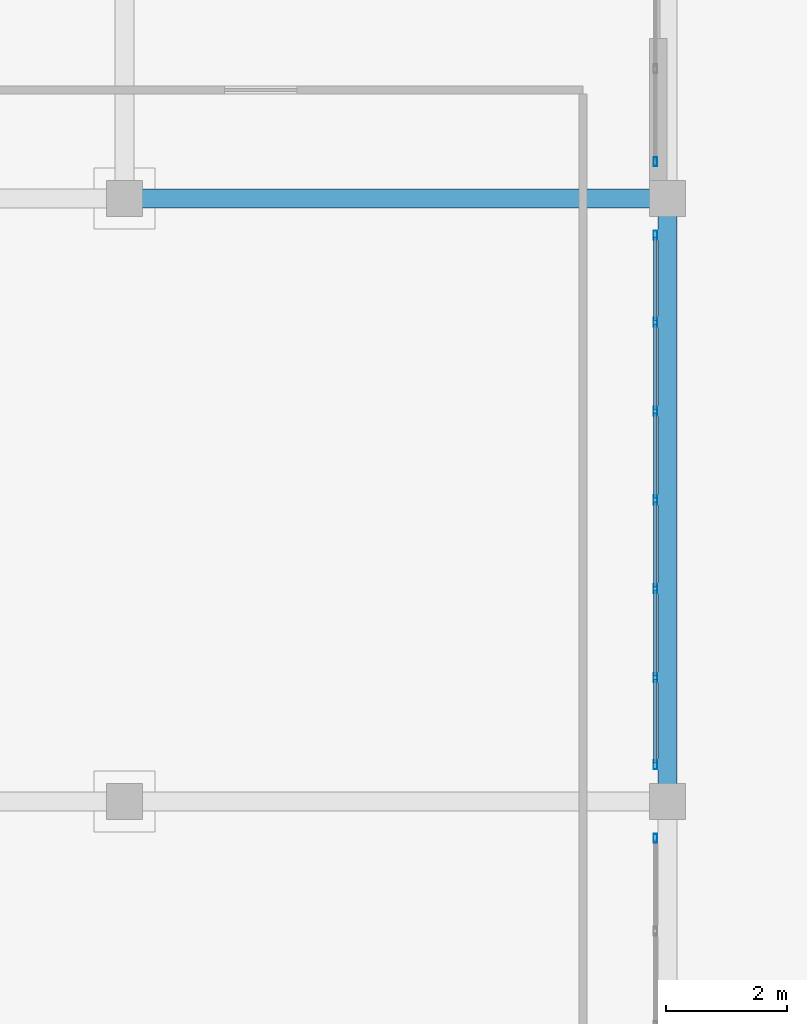
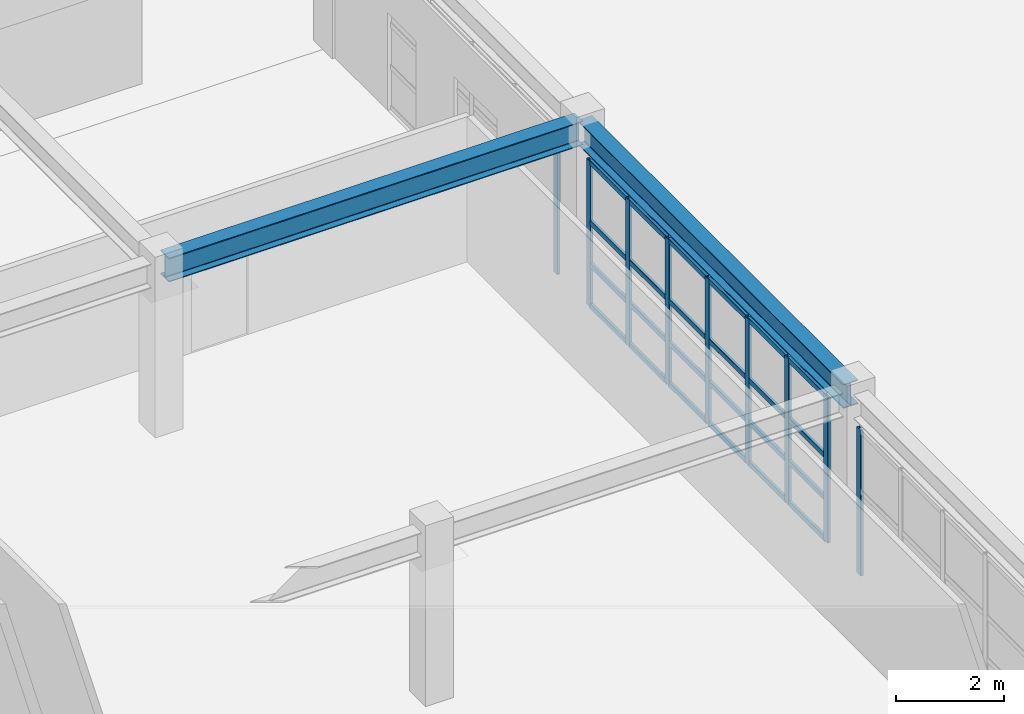
# One storey, part 37 of 110: 33 members, 2 beams, 3 elements without a shape of their own.
"""IFC4 building model written with IfcOpenShell, lengths in metres."""

import ifcopenshell
import ifcopenshell.guid

model = None  # the IFC model being written
_history = None  # IfcOwnerHistory: only IFC2X3 demands one
_inside = {}  # id of a spatial element -> (the spatial element, [elements in it])
_under = {}  # id of a project, library or spatial element -> (it, [spatial elements below it])
_declared = {}  # id of a project -> (the project, [libraries it declares])
_typed = {}  # id of a type object -> (the type object, [elements of that type])
_made_of = {}  # id of a material, layer set ... -> (it, [elements and type objects made of it])


def new_model(schema):
    """Start an empty IFC model of exactly this schema.

    Asked for "IFC4X3", IfcOpenShell would pick the latest addendum, in which some entities
    have other attributes; the version numbers below select the first issue.
    IFC2X3 requires an IfcOwnerHistory on every rooted entity: one is made here for all.
    """
    global model, _history
    if schema == "IFC4X3":
        model = ifcopenshell.file(schema_version=(4, 3, 0, 0))
    else:
        model = ifcopenshell.file(schema=schema)
    _inside.clear()
    _under.clear()
    _declared.clear()
    _typed.clear()
    _made_of.clear()
    _history = None
    if model.schema == "IFC2X3":
        org = make("IfcOrganization", Name="unknown")
        user = make(
            "IfcPersonAndOrganization",
            ThePerson=make("IfcPerson", FamilyName="unknown"),
            TheOrganization=org,
        )
        app = make(
            "IfcApplication",
            ApplicationDeveloper=org,
            Version="unknown",
            ApplicationFullName="unknown",
            ApplicationIdentifier="unknown",
        )
        _history = make(
            "IfcOwnerHistory",
            OwningUser=user,
            OwningApplication=app,
            ChangeAction="ADDED",
            CreationDate=0,
        )
    return model


def make(cls, **values):
    """One entity of the class cls with the attributes given. An attribute that is None is left unset."""
    return model.create_entity(
        cls, **{name: value for name, value in values.items() if value is not None}
    )


def rooted(cls, **values):
    """An entity with a GlobalId (a new one), such as an element, a storey or a relation."""
    return make(cls, GlobalId=ifcopenshell.guid.new(), OwnerHistory=_history, **values)


def si_unit(unit_type, name, prefix=None):
    """IfcSIUnit, for example si_unit("LENGTHUNIT", "METRE", prefix="MILLI")."""
    return make("IfcSIUnit", UnitType=unit_type, Prefix=prefix, Name=name)


def assignment(units):
    """IfcUnitAssignment: the units of a project."""
    return None if units is None else make("IfcUnitAssignment", Units=units)


def point(xyz):
    """IfcCartesianPoint."""
    return None if xyz is None else make("IfcCartesianPoint", Coordinates=xyz)


def direction(xyz):
    """IfcDirection."""
    return None if xyz is None else make("IfcDirection", DirectionRatios=xyz)


def frame(location, z_axis=None, x_axis=None):
    """IfcAxis2Placement3D, a coordinate frame: its origin and axes. An axis left out is left unset."""
    return make(
        "IfcAxis2Placement3D",
        Location=point(location),
        Axis=direction(z_axis),
        RefDirection=direction(x_axis),
    )


def frame_2d(location, x_axis=None):
    """IfcAxis2Placement2D, a coordinate frame in the plane: its origin and x axis."""
    return make(
        "IfcAxis2Placement2D", Location=point(location), RefDirection=direction(x_axis)
    )


def origin():
    """The frame at (0, 0, 0) with its axes left unset."""
    return frame((0.0, 0.0, 0.0))


def origin_2d():
    """The frame at (0, 0) in the plane with its x axis left unset."""
    return frame_2d((0.0, 0.0))


def place(relative_to, where):
    """IfcLocalPlacement: puts the frame where relative to a parent placement (None: the world)."""
    return make(
        "IfcLocalPlacement", PlacementRelTo=relative_to, RelativePlacement=where
    )


def context(
    kind, dimensions, precision=None, world=None, true_north=None, identifier=None
):
    """IfcGeometricRepresentationContext, for example the 3D "Model" context."""
    return make(
        "IfcGeometricRepresentationContext",
        ContextIdentifier=identifier,
        ContextType=kind,
        CoordinateSpaceDimension=dimensions,
        Precision=precision,
        WorldCoordinateSystem=world,
        TrueNorth=true_north,
    )


def subcontext(parent, identifier, kind, view, scale=None):
    """IfcGeometricRepresentationSubContext, for example "Body" below "Model"."""
    return make(
        "IfcGeometricRepresentationSubContext",
        ContextIdentifier=identifier,
        ContextType=kind,
        ParentContext=parent,
        TargetScale=scale,
        TargetView=view,
    )


def project(units=None, contexts=None):
    """IfcProject with its units and contexts."""
    return rooted(
        "IfcProject",
        Name="project",
        RepresentationContexts=contexts,
        UnitsInContext=assignment(units),
    )


def spatial(cls, under=None, at=None, **own):
    """A site, building, storey or space (cls), placed at a placement, below another one or the project."""
    s = rooted(cls, ObjectPlacement=at, **own)
    if under is not None:
        _under.setdefault(under.id(), (under, []))[1].append(s)
    return s


def profile(cls, at=None, kind="AREA", **sizes):
    """A parametric profile (cls). Its sizes go by their IFC names, for example OverallWidth=200.0."""
    return make(cls, ProfileType=kind, Position=at, **sizes)


def hollow_rectangle(**sizes):
    """IfcRectangleHollowProfileDef."""
    return profile("IfcRectangleHollowProfileDef", **sizes)


def i_section(**sizes):
    """IfcIShapeProfileDef."""
    return profile("IfcIShapeProfileDef", **sizes)


def extrude(swept, where, along, depth):
    """IfcExtrudedAreaSolid: the profile swept, set in the frame where, extruded along a direction by depth."""
    return make(
        "IfcExtrudedAreaSolid",
        SweptArea=swept,
        Position=where,
        ExtrudedDirection=direction(along),
        Depth=depth,
    )


def shape(context_of_items, identifier, shape_type, items):
    """IfcShapeRepresentation: the items that make up one representation, for example the "Body"."""
    return make(
        "IfcShapeRepresentation",
        ContextOfItems=context_of_items,
        RepresentationIdentifier=identifier,
        RepresentationType=shape_type,
        Items=items,
    )


def material(Name=None, Category=None):
    """IfcMaterial."""
    return make("IfcMaterial", Name=Name, Category=Category)


def material_profile(
    of_material, cross_section, Name=None, Category=None, Priority=None
):
    """IfcMaterialProfile: a cross section and its material."""
    return make(
        "IfcMaterialProfile",
        Name=Name,
        Material=of_material,
        Profile=cross_section,
        Priority=Priority,
        Category=Category,
    )


def profile_set(profiles, Name=None, composite=None):
    """IfcMaterialProfileSet."""
    return make(
        "IfcMaterialProfileSet",
        Name=Name,
        MaterialProfiles=profiles,
        CompositeProfile=composite,
    )


def made_of(thing, what):
    """Note that an element or type object is made of a material, layer set ...; save() writes the relation."""
    if what is not None:
        _made_of.setdefault(what.id(), (what, []))[1].append(thing)
    return thing


def type_object(cls, material=None, **own):
    """A type object (cls), such as IfcWallType, which elements share."""
    return made_of(rooted(cls, **own), material)


def element(
    cls,
    number,
    at=None,
    inside=None,
    cuts=None,
    type_object=None,
    material=None,
    context=None,
    identifier="Body",
    shape_type=None,
    held_by="IfcProductDefinitionShape",
    body=None,
    shapes=None,
    **own,
):
    """One element of the class cls, such as IfcWall. Its Tag is "e" and its number.

    at: its placement. inside: the storey or other place that contains it. cuts: it is an
    opening in that element (IfcRelVoidsElement). A single representation is given by context,
    identifier, shape_type and body (its items); several are given by shapes. held_by: the class
    of the entity that holds the representations. save() writes the other relations.
    """
    e = rooted(cls, Tag="e%d" % number, ObjectPlacement=at, **own)
    if body is not None:
        shapes = [shape(context, identifier, shape_type, body)]
    if shapes is not None:
        e.Representation = make(held_by, Representations=shapes)
    if inside is not None:
        _inside.setdefault(inside.id(), (inside, []))[1].append(e)
    if cuts is not None:
        rooted(
            "IfcRelVoidsElement", RelatingBuildingElement=cuts, RelatedOpeningElement=e
        )
    if type_object is not None:
        _typed.setdefault(type_object.id(), (type_object, []))[1].append(e)
    return made_of(e, material)


def aggregate(whole, parts):
    """IfcRelAggregates: a whole, such as a stair, and the parts it consists of."""
    return rooted("IfcRelAggregates", RelatingObject=whole, RelatedObjects=parts)


def save(model, path):
    """Write the relations noted so far, then the file.

    IfcRelAggregates (storeys below a building ...), IfcRelContainedInSpatialStructure (elements
    in a storey), IfcRelDefinesByType, IfcRelAssociatesMaterial and IfcRelDeclares: one each for
    every whole, place, type object, material and project.
    """
    for whole, parts in _under.values():
        aggregate(whole, parts)
    for where, things in _inside.values():
        rooted(
            "IfcRelContainedInSpatialStructure",
            RelatedElements=things,
            RelatingStructure=where,
        )
    for kind, things in _typed.values():
        rooted("IfcRelDefinesByType", RelatedObjects=things, RelatingType=kind)
    for what, things in _made_of.values():
        rooted("IfcRelAssociatesMaterial", RelatedObjects=things, RelatingMaterial=what)
    for by, libraries in _declared.values():
        rooted("IfcRelDeclares", RelatingContext=by, RelatedDefinitions=libraries)
    model.write(path)


model = new_model("IFC4")

# Units and contexts
model_context = context("Model", 3, precision=1e-05, world=origin(), true_north=direction((0.0, 1.0)))
body_context = subcontext(model_context, "Body", "Model", "MODEL_VIEW")
ifc_project = project(units=[si_unit("LENGTHUNIT", "METRE"), si_unit("AREAUNIT", "SQUARE_METRE"), si_unit("VOLUMEUNIT", "CUBIC_METRE"), si_unit("PLANEANGLEUNIT", "RADIAN"), si_unit("MASSUNIT", "GRAM", prefix="KILO")], contexts=[model_context])

# Site, building, storey
site_placement = place(None, origin())
site = spatial("IfcSite", under=ifc_project, at=site_placement, CompositionType="ELEMENT")
building_placement = place(site_placement, origin())
building = spatial("IfcBuilding", under=site, at=building_placement, Name="Miravela Opera House", CompositionType="ELEMENT")
storey_placement = place(building_placement, frame((0.0, 0.0, 13.60009765625)))
storey = spatial("IfcBuildingStorey", under=building, at=storey_placement, Name="L03", CompositionType="ELEMENT", Elevation=13.60009765625)

# Curtain wall, member
ifc_material_1 = material(Name="Anodised architectural bronze aluminium 6063-T6", Category="aluminium")
curtain_wall_type = type_object("IfcCurtainWallType", Name="ARC-CW-08", PredefinedType="NOTDEFINED", material=ifc_material_1)
curtain_wall_1_placement = place(storey_placement, origin())
curtain_wall_1 = element("IfcCurtainWall", 1, at=curtain_wall_1_placement, inside=storey, type_object=curtain_wall_type, Name="Courtyard Arcade Curtain Wall CW-L03-201", PredefinedType="NOTDEFINED")
ifc_material_profile_1 = material_profile(ifc_material_1, hollow_rectangle(XDim=0.06005859375, YDim=0.14990234375, WallThickness=0.00390625, InnerFilletRadius=0.001953125, OuterFilletRadius=0.00390625, at=origin_2d()), Name="CWM-60X150")
ifc_profile_set_1 = profile_set([ifc_material_profile_1])
member_type_1 = type_object("IfcMemberType", Name="ARC-CWM-150", PredefinedType="MULLION", material=ifc_profile_set_1)
member_1_placement = place(storey_placement, frame((89.800048828125, 17.389892578125, 0.0), z_axis=(0.0, 0.0, 1.0), x_axis=(-1.0, 0.0, 0.0)))
member_1 = element("IfcMember", 2, at=member_1_placement, type_object=member_type_1, Name="CW-08 mullion 6", PredefinedType="MULLION", context=body_context, shape_type="SweptSolid", body=[
    extrude(hollow_rectangle(XDim=0.06005859375, YDim=0.14990234375, WallThickness=0.00390625, InnerFilletRadius=0.001953125, OuterFilletRadius=0.00390625, at=origin_2d()), origin(), (0.0, 0.0, 1.0), 3.289794921875),
])
aggregate(curtain_wall_1, [member_1])

# Curtain wall, members
curtain_wall_2_placement = place(storey_placement, origin())
curtain_wall_2 = element("IfcCurtainWall", 3, at=curtain_wall_2_placement, inside=storey, type_object=curtain_wall_type, Name="Courtyard Arcade Curtain Wall CW-L03-202", PredefinedType="NOTDEFINED")
member_2_placement = place(storey_placement, frame((89.800048828125, 18.610107421875, 0.0), z_axis=(0.0, 0.0, 1.0), x_axis=(-1.0, 0.0, 0.0)))
member_2 = element("IfcMember", 4, at=member_2_placement, type_object=member_type_1, Name="CW-08 mullion 1", PredefinedType="MULLION", context=body_context, shape_type="SweptSolid", body=[
    extrude(hollow_rectangle(XDim=0.06005859375, YDim=0.14990234375, WallThickness=0.00390625, InnerFilletRadius=0.001953125, OuterFilletRadius=0.00390625, at=origin_2d()), origin(), (0.0, 0.0, 1.0), 3.289794921875),
])
member_3_placement = place(storey_placement, frame((89.800048828125, 20.05322265625, 0.0), z_axis=(0.0, 0.0, 1.0), x_axis=(-1.0, 0.0, 0.0)))
member_3 = element("IfcMember", 5, at=member_3_placement, type_object=member_type_1, Name="CW-08 mullion 2", PredefinedType="MULLION", context=body_context, shape_type="SweptSolid", body=[
    extrude(hollow_rectangle(XDim=0.06005859375, YDim=0.14990234375, WallThickness=0.00390625, InnerFilletRadius=0.001953125, OuterFilletRadius=0.00390625, at=origin_2d()), origin(), (0.0, 0.0, 1.0), 3.289794921875),
])
member_4_placement = place(storey_placement, frame((89.800048828125, 21.526611328125, 0.0), z_axis=(0.0, 0.0, 1.0), x_axis=(-1.0, 0.0, 0.0)))
member_4 = element("IfcMember", 6, at=member_4_placement, type_object=member_type_1, Name="CW-08 mullion 3", PredefinedType="MULLION", context=body_context, shape_type="SweptSolid", body=[
    extrude(hollow_rectangle(XDim=0.06005859375, YDim=0.14990234375, WallThickness=0.00390625, InnerFilletRadius=0.001953125, OuterFilletRadius=0.00390625, at=origin_2d()), origin(), (0.0, 0.0, 1.0), 3.289794921875),
])
member_5_placement = place(storey_placement, frame((89.800048828125, 23.0, 0.0), z_axis=(0.0, 0.0, 1.0), x_axis=(-1.0, 0.0, 0.0)))
member_5 = element("IfcMember", 7, at=member_5_placement, type_object=member_type_1, Name="CW-08 mullion 4", PredefinedType="MULLION", context=body_context, shape_type="SweptSolid", body=[
    extrude(hollow_rectangle(XDim=0.06005859375, YDim=0.14990234375, WallThickness=0.00390625, InnerFilletRadius=0.001953125, OuterFilletRadius=0.00390625, at=origin_2d()), origin(), (0.0, 0.0, 1.0), 3.289794921875),
])
member_6_placement = place(storey_placement, frame((89.800048828125, 24.473388671875, 0.0), z_axis=(0.0, 0.0, 1.0), x_axis=(-1.0, 0.0, 0.0)))
member_6 = element("IfcMember", 8, at=member_6_placement, type_object=member_type_1, Name="CW-08 mullion 5", PredefinedType="MULLION", context=body_context, shape_type="SweptSolid", body=[
    extrude(hollow_rectangle(XDim=0.06005859375, YDim=0.14990234375, WallThickness=0.00390625, InnerFilletRadius=0.001953125, OuterFilletRadius=0.00390625, at=origin_2d()), origin(), (0.0, 0.0, 1.0), 3.289794921875),
])
member_7_placement = place(storey_placement, frame((89.800048828125, 25.94677734375, 0.0), z_axis=(0.0, 0.0, 1.0), x_axis=(-1.0, 0.0, 0.0)))
member_7 = element("IfcMember", 9, at=member_7_placement, type_object=member_type_1, Name="CW-08 mullion 6", PredefinedType="MULLION", context=body_context, shape_type="SweptSolid", body=[
    extrude(hollow_rectangle(XDim=0.06005859375, YDim=0.14990234375, WallThickness=0.00390625, InnerFilletRadius=0.001953125, OuterFilletRadius=0.00390625, at=origin_2d()), origin(), (0.0, 0.0, 1.0), 3.289794921875),
])
member_8_placement = place(storey_placement, frame((89.800048828125, 27.389892578125, 0.0), z_axis=(0.0, 0.0, 1.0), x_axis=(-1.0, 0.0, 0.0)))
member_8 = element("IfcMember", 10, at=member_8_placement, type_object=member_type_1, Name="CW-08 mullion 7", PredefinedType="MULLION", context=body_context, shape_type="SweptSolid", body=[
    extrude(hollow_rectangle(XDim=0.06005859375, YDim=0.14990234375, WallThickness=0.00390625, InnerFilletRadius=0.001953125, OuterFilletRadius=0.00390625, at=origin_2d()), origin(), (0.0, 0.0, 1.0), 3.289794921875),
])

# Curtain wall, member
curtain_wall_3_placement = place(storey_placement, origin())
curtain_wall_3 = element("IfcCurtainWall", 11, at=curtain_wall_3_placement, inside=storey, type_object=curtain_wall_type, Name="Courtyard Arcade Curtain Wall CW-L03-203", PredefinedType="NOTDEFINED")
member_9_placement = place(storey_placement, frame((89.800048828125, 28.610107421875, 0.0), z_axis=(0.0, 0.0, 1.0), x_axis=(-1.0, 0.0, 0.0)))
member_9 = element("IfcMember", 12, at=member_9_placement, type_object=member_type_1, Name="CW-08 mullion 1", PredefinedType="MULLION", context=body_context, shape_type="SweptSolid", body=[
    extrude(hollow_rectangle(XDim=0.06005859375, YDim=0.14990234375, WallThickness=0.00390625, InnerFilletRadius=0.001953125, OuterFilletRadius=0.00390625, at=origin_2d()), origin(), (0.0, 0.0, 1.0), 3.289794921875),
])
aggregate(curtain_wall_3, [member_9])

# Member
ifc_material_profile_2 = material_profile(ifc_material_1, hollow_rectangle(XDim=0.06005859375, YDim=0.114990234375, WallThickness=0.00390625, InnerFilletRadius=0.001953125, OuterFilletRadius=0.00390625, at=origin_2d()), Name="CWT-60X115")
ifc_profile_set_2 = profile_set([ifc_material_profile_2])
member_type_2 = type_object("IfcMemberType", Name="ARC-CWT-115", PredefinedType="USERDEFINED", material=ifc_profile_set_2)
member_10_placement = place(storey_placement, frame((89.800048828125, 18.639892578125, 0.02978515625), z_axis=(0.0, 1.0, 0.0), x_axis=(-1.0, 0.0, 0.0)))
member_10 = element("IfcMember", 13, at=member_10_placement, type_object=member_type_2, Name="CW-08 transom 1.1", ObjectType="TRANSOM", PredefinedType="USERDEFINED", context=body_context, shape_type="SweptSolid", body=[
    extrude(hollow_rectangle(XDim=0.06005859375, YDim=0.114990234375, WallThickness=0.00390625, InnerFilletRadius=0.001953125, OuterFilletRadius=0.00390625, at=origin_2d()), origin(), (0.0, 0.0, 1.0), 1.383544921875),
])

member_11_placement = place(storey_placement, frame((89.800048828125, 18.639892578125, 0.949951171875), z_axis=(0.0, 1.0, 0.0), x_axis=(-1.0, 0.0, 0.0)))
member_11 = element("IfcMember", 14, at=member_11_placement, type_object=member_type_2, Name="CW-08 transom 1.2", ObjectType="TRANSOM", PredefinedType="USERDEFINED", context=body_context, shape_type="SweptSolid", body=[
    extrude(hollow_rectangle(XDim=0.06005859375, YDim=0.114990234375, WallThickness=0.00390625, InnerFilletRadius=0.001953125, OuterFilletRadius=0.00390625, at=origin_2d()), origin(), (0.0, 0.0, 1.0), 1.383544921875),
])

member_12_placement = place(storey_placement, frame((89.800048828125, 18.639892578125, 1.908203125), z_axis=(0.0, 1.0, 0.0), x_axis=(-1.0, 0.0, 0.0)))
member_12 = element("IfcMember", 15, at=member_12_placement, type_object=member_type_2, Name="CW-08 transom 1.3", ObjectType="TRANSOM", PredefinedType="USERDEFINED", context=body_context, shape_type="SweptSolid", body=[
    extrude(hollow_rectangle(XDim=0.06005859375, YDim=0.114990234375, WallThickness=0.00390625, InnerFilletRadius=0.001953125, OuterFilletRadius=0.00390625, at=origin_2d()), origin(), (0.0, 0.0, 1.0), 1.383544921875),
])

member_13_placement = place(storey_placement, frame((89.800048828125, 18.639892578125, 3.260009765625), z_axis=(0.0, 1.0, 0.0), x_axis=(-1.0, 0.0, 0.0)))
member_13 = element("IfcMember", 16, at=member_13_placement, type_object=member_type_2, Name="CW-08 transom 1.4", ObjectType="TRANSOM", PredefinedType="USERDEFINED", context=body_context, shape_type="SweptSolid", body=[
    extrude(hollow_rectangle(XDim=0.06005859375, YDim=0.114990234375, WallThickness=0.00390625, InnerFilletRadius=0.001953125, OuterFilletRadius=0.00390625, at=origin_2d()), origin(), (0.0, 0.0, 1.0), 1.383544921875),
])

member_14_placement = place(storey_placement, frame((89.800048828125, 20.083251953125, 0.02978515625), z_axis=(0.0, 1.0, 0.0), x_axis=(-1.0, 0.0, 0.0)))
member_14 = element("IfcMember", 17, at=member_14_placement, type_object=member_type_2, Name="CW-08 transom 2.1", ObjectType="TRANSOM", PredefinedType="USERDEFINED", context=body_context, shape_type="SweptSolid", body=[
    extrude(hollow_rectangle(XDim=0.06005859375, YDim=0.114990234375, WallThickness=0.00390625, InnerFilletRadius=0.001953125, OuterFilletRadius=0.00390625, at=origin_2d()), origin(), (0.0, 0.0, 1.0), 1.413330078125),
])

member_15_placement = place(storey_placement, frame((89.800048828125, 20.083251953125, 0.949951171875), z_axis=(0.0, 1.0, 0.0), x_axis=(-1.0, 0.0, 0.0)))
member_15 = element("IfcMember", 18, at=member_15_placement, type_object=member_type_2, Name="CW-08 transom 2.2", ObjectType="TRANSOM", PredefinedType="USERDEFINED", context=body_context, shape_type="SweptSolid", body=[
    extrude(hollow_rectangle(XDim=0.06005859375, YDim=0.114990234375, WallThickness=0.00390625, InnerFilletRadius=0.001953125, OuterFilletRadius=0.00390625, at=origin_2d()), origin(), (0.0, 0.0, 1.0), 1.413330078125),
])

member_16_placement = place(storey_placement, frame((89.800048828125, 20.083251953125, 1.908203125), z_axis=(0.0, 1.0, 0.0), x_axis=(-1.0, 0.0, 0.0)))
member_16 = element("IfcMember", 19, at=member_16_placement, type_object=member_type_2, Name="CW-08 transom 2.3", ObjectType="TRANSOM", PredefinedType="USERDEFINED", context=body_context, shape_type="SweptSolid", body=[
    extrude(hollow_rectangle(XDim=0.06005859375, YDim=0.114990234375, WallThickness=0.00390625, InnerFilletRadius=0.001953125, OuterFilletRadius=0.00390625, at=origin_2d()), origin(), (0.0, 0.0, 1.0), 1.413330078125),
])

member_17_placement = place(storey_placement, frame((89.800048828125, 20.083251953125, 3.260009765625), z_axis=(0.0, 1.0, 0.0), x_axis=(-1.0, 0.0, 0.0)))
member_17 = element("IfcMember", 20, at=member_17_placement, type_object=member_type_2, Name="CW-08 transom 2.4", ObjectType="TRANSOM", PredefinedType="USERDEFINED", context=body_context, shape_type="SweptSolid", body=[
    extrude(hollow_rectangle(XDim=0.06005859375, YDim=0.114990234375, WallThickness=0.00390625, InnerFilletRadius=0.001953125, OuterFilletRadius=0.00390625, at=origin_2d()), origin(), (0.0, 0.0, 1.0), 1.413330078125),
])

member_18_placement = place(storey_placement, frame((89.800048828125, 21.556640625, 0.02978515625), z_axis=(0.0, 1.0, 0.0), x_axis=(-1.0, 0.0, 0.0)))
member_18 = element("IfcMember", 21, at=member_18_placement, type_object=member_type_2, Name="CW-08 transom 3.1", ObjectType="TRANSOM", PredefinedType="USERDEFINED", context=body_context, shape_type="SweptSolid", body=[
    extrude(hollow_rectangle(XDim=0.06005859375, YDim=0.114990234375, WallThickness=0.00390625, InnerFilletRadius=0.001953125, OuterFilletRadius=0.00390625, at=origin_2d()), origin(), (0.0, 0.0, 1.0), 1.413330078125),
])

member_19_placement = place(storey_placement, frame((89.800048828125, 21.556640625, 0.949951171875), z_axis=(0.0, 1.0, 0.0), x_axis=(-1.0, 0.0, 0.0)))
member_19 = element("IfcMember", 22, at=member_19_placement, type_object=member_type_2, Name="CW-08 transom 3.2", ObjectType="TRANSOM", PredefinedType="USERDEFINED", context=body_context, shape_type="SweptSolid", body=[
    extrude(hollow_rectangle(XDim=0.06005859375, YDim=0.114990234375, WallThickness=0.00390625, InnerFilletRadius=0.001953125, OuterFilletRadius=0.00390625, at=origin_2d()), origin(), (0.0, 0.0, 1.0), 1.413330078125),
])

member_20_placement = place(storey_placement, frame((89.800048828125, 21.556640625, 1.908203125), z_axis=(0.0, 1.0, 0.0), x_axis=(-1.0, 0.0, 0.0)))
member_20 = element("IfcMember", 23, at=member_20_placement, type_object=member_type_2, Name="CW-08 transom 3.3", ObjectType="TRANSOM", PredefinedType="USERDEFINED", context=body_context, shape_type="SweptSolid", body=[
    extrude(hollow_rectangle(XDim=0.06005859375, YDim=0.114990234375, WallThickness=0.00390625, InnerFilletRadius=0.001953125, OuterFilletRadius=0.00390625, at=origin_2d()), origin(), (0.0, 0.0, 1.0), 1.413330078125),
])

member_21_placement = place(storey_placement, frame((89.800048828125, 21.556640625, 3.260009765625), z_axis=(0.0, 1.0, 0.0), x_axis=(-1.0, 0.0, 0.0)))
member_21 = element("IfcMember", 24, at=member_21_placement, type_object=member_type_2, Name="CW-08 transom 3.4", ObjectType="TRANSOM", PredefinedType="USERDEFINED", context=body_context, shape_type="SweptSolid", body=[
    extrude(hollow_rectangle(XDim=0.06005859375, YDim=0.114990234375, WallThickness=0.00390625, InnerFilletRadius=0.001953125, OuterFilletRadius=0.00390625, at=origin_2d()), origin(), (0.0, 0.0, 1.0), 1.413330078125),
])

member_22_placement = place(storey_placement, frame((89.800048828125, 23.030029296875, 0.02978515625), z_axis=(0.0, 1.0, 0.0), x_axis=(-1.0, 0.0, 0.0)))
member_22 = element("IfcMember", 25, at=member_22_placement, type_object=member_type_2, Name="CW-08 transom 4.1", ObjectType="TRANSOM", PredefinedType="USERDEFINED", context=body_context, shape_type="SweptSolid", body=[
    extrude(hollow_rectangle(XDim=0.06005859375, YDim=0.114990234375, WallThickness=0.00390625, InnerFilletRadius=0.001953125, OuterFilletRadius=0.00390625, at=origin_2d()), origin(), (0.0, 0.0, 1.0), 1.413330078125),
])

member_23_placement = place(storey_placement, frame((89.800048828125, 23.030029296875, 0.949951171875), z_axis=(0.0, 1.0, 0.0), x_axis=(-1.0, 0.0, 0.0)))
member_23 = element("IfcMember", 26, at=member_23_placement, type_object=member_type_2, Name="CW-08 transom 4.2", ObjectType="TRANSOM", PredefinedType="USERDEFINED", context=body_context, shape_type="SweptSolid", body=[
    extrude(hollow_rectangle(XDim=0.06005859375, YDim=0.114990234375, WallThickness=0.00390625, InnerFilletRadius=0.001953125, OuterFilletRadius=0.00390625, at=origin_2d()), origin(), (0.0, 0.0, 1.0), 1.413330078125),
])

member_24_placement = place(storey_placement, frame((89.800048828125, 23.030029296875, 1.908203125), z_axis=(0.0, 1.0, 0.0), x_axis=(-1.0, 0.0, 0.0)))
member_24 = element("IfcMember", 27, at=member_24_placement, type_object=member_type_2, Name="CW-08 transom 4.3", ObjectType="TRANSOM", PredefinedType="USERDEFINED", context=body_context, shape_type="SweptSolid", body=[
    extrude(hollow_rectangle(XDim=0.06005859375, YDim=0.114990234375, WallThickness=0.00390625, InnerFilletRadius=0.001953125, OuterFilletRadius=0.00390625, at=origin_2d()), origin(), (0.0, 0.0, 1.0), 1.413330078125),
])

member_25_placement = place(storey_placement, frame((89.800048828125, 23.030029296875, 3.260009765625), z_axis=(0.0, 1.0, 0.0), x_axis=(-1.0, 0.0, 0.0)))
member_25 = element("IfcMember", 28, at=member_25_placement, type_object=member_type_2, Name="CW-08 transom 4.4", ObjectType="TRANSOM", PredefinedType="USERDEFINED", context=body_context, shape_type="SweptSolid", body=[
    extrude(hollow_rectangle(XDim=0.06005859375, YDim=0.114990234375, WallThickness=0.00390625, InnerFilletRadius=0.001953125, OuterFilletRadius=0.00390625, at=origin_2d()), origin(), (0.0, 0.0, 1.0), 1.413330078125),
])

member_26_placement = place(storey_placement, frame((89.800048828125, 24.50341796875, 0.02978515625), z_axis=(0.0, 1.0, 0.0), x_axis=(-1.0, 0.0, 0.0)))
member_26 = element("IfcMember", 29, at=member_26_placement, type_object=member_type_2, Name="CW-08 transom 5.1", ObjectType="TRANSOM", PredefinedType="USERDEFINED", context=body_context, shape_type="SweptSolid", body=[
    extrude(hollow_rectangle(XDim=0.06005859375, YDim=0.114990234375, WallThickness=0.00390625, InnerFilletRadius=0.001953125, OuterFilletRadius=0.00390625, at=origin_2d()), origin(), (0.0, 0.0, 1.0), 1.413330078125),
])

member_27_placement = place(storey_placement, frame((89.800048828125, 24.50341796875, 0.949951171875), z_axis=(0.0, 1.0, 0.0), x_axis=(-1.0, 0.0, 0.0)))
member_27 = element("IfcMember", 30, at=member_27_placement, type_object=member_type_2, Name="CW-08 transom 5.2", ObjectType="TRANSOM", PredefinedType="USERDEFINED", context=body_context, shape_type="SweptSolid", body=[
    extrude(hollow_rectangle(XDim=0.06005859375, YDim=0.114990234375, WallThickness=0.00390625, InnerFilletRadius=0.001953125, OuterFilletRadius=0.00390625, at=origin_2d()), origin(), (0.0, 0.0, 1.0), 1.413330078125),
])

member_28_placement = place(storey_placement, frame((89.800048828125, 24.50341796875, 1.908203125), z_axis=(0.0, 1.0, 0.0), x_axis=(-1.0, 0.0, 0.0)))
member_28 = element("IfcMember", 31, at=member_28_placement, type_object=member_type_2, Name="CW-08 transom 5.3", ObjectType="TRANSOM", PredefinedType="USERDEFINED", context=body_context, shape_type="SweptSolid", body=[
    extrude(hollow_rectangle(XDim=0.06005859375, YDim=0.114990234375, WallThickness=0.00390625, InnerFilletRadius=0.001953125, OuterFilletRadius=0.00390625, at=origin_2d()), origin(), (0.0, 0.0, 1.0), 1.413330078125),
])

member_29_placement = place(storey_placement, frame((89.800048828125, 24.50341796875, 3.260009765625), z_axis=(0.0, 1.0, 0.0), x_axis=(-1.0, 0.0, 0.0)))
member_29 = element("IfcMember", 32, at=member_29_placement, type_object=member_type_2, Name="CW-08 transom 5.4", ObjectType="TRANSOM", PredefinedType="USERDEFINED", context=body_context, shape_type="SweptSolid", body=[
    extrude(hollow_rectangle(XDim=0.06005859375, YDim=0.114990234375, WallThickness=0.00390625, InnerFilletRadius=0.001953125, OuterFilletRadius=0.00390625, at=origin_2d()), origin(), (0.0, 0.0, 1.0), 1.413330078125),
])

member_30_placement = place(storey_placement, frame((89.800048828125, 25.9765625, 0.02978515625), z_axis=(0.0, 1.0, 0.0), x_axis=(-1.0, 0.0, 0.0)))
member_30 = element("IfcMember", 33, at=member_30_placement, type_object=member_type_2, Name="CW-08 transom 6.1", ObjectType="TRANSOM", PredefinedType="USERDEFINED", context=body_context, shape_type="SweptSolid", body=[
    extrude(hollow_rectangle(XDim=0.06005859375, YDim=0.114990234375, WallThickness=0.00390625, InnerFilletRadius=0.001953125, OuterFilletRadius=0.00390625, at=origin_2d()), origin(), (0.0, 0.0, 1.0), 1.383544921875),
])

member_31_placement = place(storey_placement, frame((89.800048828125, 25.9765625, 0.949951171875), z_axis=(0.0, 1.0, 0.0), x_axis=(-1.0, 0.0, 0.0)))
member_31 = element("IfcMember", 34, at=member_31_placement, type_object=member_type_2, Name="CW-08 transom 6.2", ObjectType="TRANSOM", PredefinedType="USERDEFINED", context=body_context, shape_type="SweptSolid", body=[
    extrude(hollow_rectangle(XDim=0.06005859375, YDim=0.114990234375, WallThickness=0.00390625, InnerFilletRadius=0.001953125, OuterFilletRadius=0.00390625, at=origin_2d()), origin(), (0.0, 0.0, 1.0), 1.383544921875),
])

member_32_placement = place(storey_placement, frame((89.800048828125, 25.9765625, 1.908203125), z_axis=(0.0, 1.0, 0.0), x_axis=(-1.0, 0.0, 0.0)))
member_32 = element("IfcMember", 35, at=member_32_placement, type_object=member_type_2, Name="CW-08 transom 6.3", ObjectType="TRANSOM", PredefinedType="USERDEFINED", context=body_context, shape_type="SweptSolid", body=[
    extrude(hollow_rectangle(XDim=0.06005859375, YDim=0.114990234375, WallThickness=0.00390625, InnerFilletRadius=0.001953125, OuterFilletRadius=0.00390625, at=origin_2d()), origin(), (0.0, 0.0, 1.0), 1.383544921875),
])

member_33_placement = place(storey_placement, frame((89.800048828125, 25.9765625, 3.260009765625), z_axis=(0.0, 1.0, 0.0), x_axis=(-1.0, 0.0, 0.0)))
member_33 = element("IfcMember", 36, at=member_33_placement, type_object=member_type_2, Name="CW-08 transom 6.4", ObjectType="TRANSOM", PredefinedType="USERDEFINED", context=body_context, shape_type="SweptSolid", body=[
    extrude(hollow_rectangle(XDim=0.06005859375, YDim=0.114990234375, WallThickness=0.00390625, InnerFilletRadius=0.001953125, OuterFilletRadius=0.00390625, at=origin_2d()), origin(), (0.0, 0.0, 1.0), 1.383544921875),
])

aggregate(curtain_wall_2, [member_2, member_3, member_4, member_5, member_6, member_7, member_8, member_10, member_11, member_12, member_13, member_14, member_15, member_16, member_17, member_18, member_19, member_20, member_21, member_22, member_23, member_24, member_25, member_26, member_27, member_28, member_29, member_30, member_31, member_32, member_33])

# Beams
ifc_material_2 = material(Name="Structural steel ASTM A992 Gr. 50", Category="steel")
ifc_material_profile_3 = material_profile(ifc_material_2, i_section(OverallWidth=0.31201171875, OverallDepth=0.54296875, WebThickness=0.0126953125, FlangeThickness=0.020263671875, FilletRadius=0.01611328125, at=origin_2d()), Name="W530X150")
ifc_profile_set_3 = profile_set([ifc_material_profile_3])
beam_type = type_object("IfcBeamType", Name="STR-BM-W530X150", PredefinedType="BEAM", material=ifc_profile_set_3)
beam_1_placement = place(storey_placement, frame((81.080078125, 28.0, 3.568359375), z_axis=(1.0, 0.0, 0.0), x_axis=(0.0, 1.0, 0.0)))
element("IfcBeam", 37, at=beam_1_placement, inside=storey, type_object=beam_type, Name="Roof Eave Girder ROOF-V4-WEST-N S8", PredefinedType="BEAM", context=body_context, shape_type="SweptSolid", body=[
    extrude(i_section(OverallWidth=0.31201171875, OverallDepth=0.54296875, WebThickness=0.0126953125, FlangeThickness=0.020263671875, FilletRadius=0.01611328125, at=origin_2d()), origin(), (0.0, 0.0, 1.0), 8.83984375),
])
beam_2_placement = place(storey_placement, frame((90.0, 18.080078125, 3.568359375), z_axis=(0.0, 1.0, 0.0), x_axis=(-1.0, 0.0, 0.0)))
element("IfcBeam", 38, at=beam_2_placement, inside=storey, type_object=beam_type, Name="Roof Eave Girder ROOF-V4-MID E2", PredefinedType="BEAM", context=body_context, shape_type="SweptSolid", body=[
    extrude(i_section(OverallWidth=0.31201171875, OverallDepth=0.54296875, WebThickness=0.0126953125, FlangeThickness=0.020263671875, FilletRadius=0.01611328125, at=origin_2d()), origin(), (0.0, 0.0, 1.0), 9.83984375),
])

save(model, "model.ifc")
